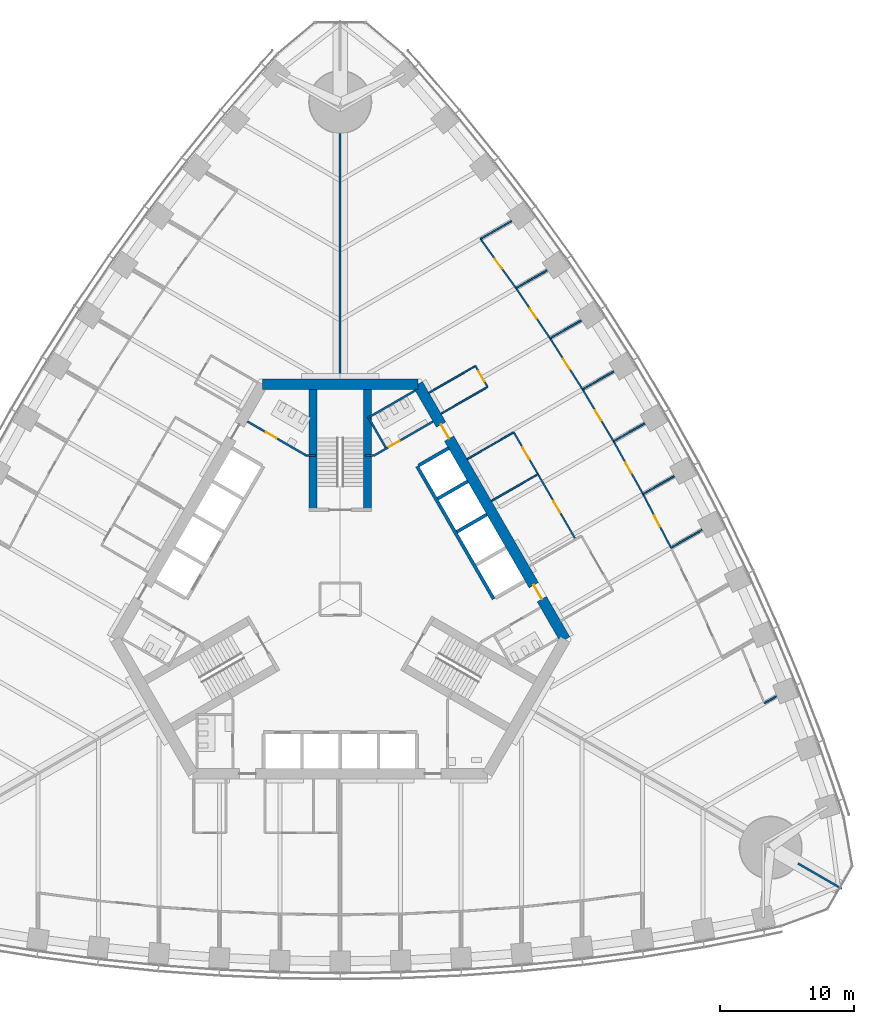
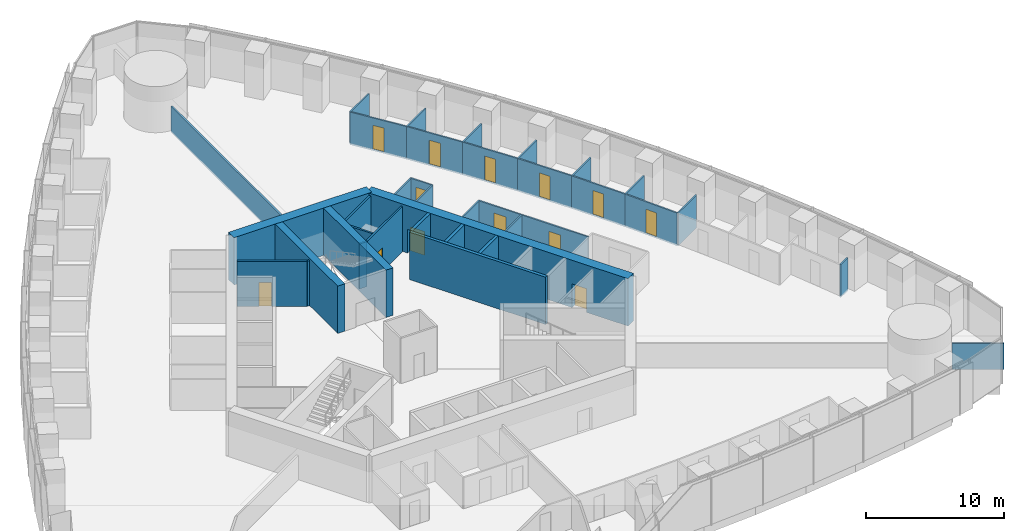
# One storey, part 13 of 19: 37 walls, 13 doors, 13 openings.
"""IFC4 building model written with IfcOpenShell, lengths in metres."""

import ifcopenshell
import ifcopenshell.guid

model = None  # the IFC model being written
_history = None  # IfcOwnerHistory: only IFC2X3 demands one
_inside = {}  # id of a spatial element -> (the spatial element, [elements in it])
_under = {}  # id of a project, library or spatial element -> (it, [spatial elements below it])
_declared = {}  # id of a project -> (the project, [libraries it declares])
_typed = {}  # id of a type object -> (the type object, [elements of that type])
_made_of = {}  # id of a material, layer set ... -> (it, [elements and type objects made of it])


def new_model(schema):
    """Start an empty IFC model of exactly this schema.

    Asked for "IFC4X3", IfcOpenShell would pick the latest addendum, in which some entities
    have other attributes; the version numbers below select the first issue.
    IFC2X3 requires an IfcOwnerHistory on every rooted entity: one is made here for all.
    """
    global model, _history
    if schema == "IFC4X3":
        model = ifcopenshell.file(schema_version=(4, 3, 0, 0))
    else:
        model = ifcopenshell.file(schema=schema)
    _inside.clear()
    _under.clear()
    _declared.clear()
    _typed.clear()
    _made_of.clear()
    _history = None
    if model.schema == "IFC2X3":
        org = make("IfcOrganization", Name="unknown")
        user = make(
            "IfcPersonAndOrganization",
            ThePerson=make("IfcPerson", FamilyName="unknown"),
            TheOrganization=org,
        )
        app = make(
            "IfcApplication",
            ApplicationDeveloper=org,
            Version="unknown",
            ApplicationFullName="unknown",
            ApplicationIdentifier="unknown",
        )
        _history = make(
            "IfcOwnerHistory",
            OwningUser=user,
            OwningApplication=app,
            ChangeAction="ADDED",
            CreationDate=0,
        )
    return model


def make(cls, **values):
    """One entity of the class cls with the attributes given. An attribute that is None is left unset."""
    return model.create_entity(
        cls, **{name: value for name, value in values.items() if value is not None}
    )


def rooted(cls, **values):
    """An entity with a GlobalId (a new one), such as an element, a storey or a relation."""
    return make(cls, GlobalId=ifcopenshell.guid.new(), OwnerHistory=_history, **values)


def si_unit(unit_type, name, prefix=None):
    """IfcSIUnit, for example si_unit("LENGTHUNIT", "METRE", prefix="MILLI")."""
    return make("IfcSIUnit", UnitType=unit_type, Prefix=prefix, Name=name)


def assignment(units):
    """IfcUnitAssignment: the units of a project."""
    return None if units is None else make("IfcUnitAssignment", Units=units)


def point(xyz):
    """IfcCartesianPoint."""
    return None if xyz is None else make("IfcCartesianPoint", Coordinates=xyz)


def direction(xyz):
    """IfcDirection."""
    return None if xyz is None else make("IfcDirection", DirectionRatios=xyz)


def frame(location, z_axis=None, x_axis=None):
    """IfcAxis2Placement3D, a coordinate frame: its origin and axes. An axis left out is left unset."""
    return make(
        "IfcAxis2Placement3D",
        Location=point(location),
        Axis=direction(z_axis),
        RefDirection=direction(x_axis),
    )


def frame_2d(location, x_axis=None):
    """IfcAxis2Placement2D, a coordinate frame in the plane: its origin and x axis."""
    return make(
        "IfcAxis2Placement2D", Location=point(location), RefDirection=direction(x_axis)
    )


def origin():
    """The frame at (0, 0, 0) with its axes left unset."""
    return frame((0.0, 0.0, 0.0))


def place(relative_to, where):
    """IfcLocalPlacement: puts the frame where relative to a parent placement (None: the world)."""
    return make(
        "IfcLocalPlacement", PlacementRelTo=relative_to, RelativePlacement=where
    )


def context(
    kind, dimensions, precision=None, world=None, true_north=None, identifier=None
):
    """IfcGeometricRepresentationContext, for example the 3D "Model" context."""
    return make(
        "IfcGeometricRepresentationContext",
        ContextIdentifier=identifier,
        ContextType=kind,
        CoordinateSpaceDimension=dimensions,
        Precision=precision,
        WorldCoordinateSystem=world,
        TrueNorth=true_north,
    )


def subcontext(parent, identifier, kind, view, scale=None):
    """IfcGeometricRepresentationSubContext, for example "Body" below "Model"."""
    return make(
        "IfcGeometricRepresentationSubContext",
        ContextIdentifier=identifier,
        ContextType=kind,
        ParentContext=parent,
        TargetScale=scale,
        TargetView=view,
    )


def project(units=None, contexts=None):
    """IfcProject with its units and contexts."""
    return rooted(
        "IfcProject",
        Name="project",
        RepresentationContexts=contexts,
        UnitsInContext=assignment(units),
    )


def spatial(cls, under=None, at=None, **own):
    """A site, building, storey or space (cls), placed at a placement, below another one or the project."""
    s = rooted(cls, ObjectPlacement=at, **own)
    if under is not None:
        _under.setdefault(under.id(), (under, []))[1].append(s)
    return s


def profile(cls, at=None, kind="AREA", **sizes):
    """A parametric profile (cls). Its sizes go by their IFC names, for example OverallWidth=200.0."""
    return make(cls, ProfileType=kind, Position=at, **sizes)


def rectangle(**sizes):
    """IfcRectangleProfileDef."""
    return profile("IfcRectangleProfileDef", **sizes)


def extrude(swept, where, along, depth):
    """IfcExtrudedAreaSolid: the profile swept, set in the frame where, extruded along a direction by depth."""
    return make(
        "IfcExtrudedAreaSolid",
        SweptArea=swept,
        Position=where,
        ExtrudedDirection=direction(along),
        Depth=depth,
    )


def shape(context_of_items, identifier, shape_type, items):
    """IfcShapeRepresentation: the items that make up one representation, for example the "Body"."""
    return make(
        "IfcShapeRepresentation",
        ContextOfItems=context_of_items,
        RepresentationIdentifier=identifier,
        RepresentationType=shape_type,
        Items=items,
    )


def material(Name=None, Category=None):
    """IfcMaterial."""
    return make("IfcMaterial", Name=Name, Category=Category)


def layer(
    of_material, thickness, ventilated=None, Name=None, Category=None, Priority=None
):
    """IfcMaterialLayer: one layer of a wall or slab, of a material (None: an air gap)."""
    return make(
        "IfcMaterialLayer",
        Material=of_material,
        LayerThickness=thickness,
        IsVentilated=ventilated,
        Name=Name,
        Category=Category,
        Priority=Priority,
    )


def layer_set(layers, Name=None):
    """IfcMaterialLayerSet."""
    return make("IfcMaterialLayerSet", MaterialLayers=layers, LayerSetName=Name)


def made_of(thing, what):
    """Note that an element or type object is made of a material, layer set ...; save() writes the relation."""
    if what is not None:
        _made_of.setdefault(what.id(), (what, []))[1].append(thing)
    return thing


def type_object(cls, material=None, **own):
    """A type object (cls), such as IfcWallType, which elements share."""
    return made_of(rooted(cls, **own), material)


def element(
    cls,
    number,
    at=None,
    inside=None,
    cuts=None,
    type_object=None,
    material=None,
    context=None,
    identifier="Body",
    shape_type=None,
    held_by="IfcProductDefinitionShape",
    body=None,
    shapes=None,
    **own,
):
    """One element of the class cls, such as IfcWall. Its Tag is "e" and its number.

    at: its placement. inside: the storey or other place that contains it. cuts: it is an
    opening in that element (IfcRelVoidsElement). A single representation is given by context,
    identifier, shape_type and body (its items); several are given by shapes. held_by: the class
    of the entity that holds the representations. save() writes the other relations.
    """
    e = rooted(cls, Tag="e%d" % number, ObjectPlacement=at, **own)
    if body is not None:
        shapes = [shape(context, identifier, shape_type, body)]
    if shapes is not None:
        e.Representation = make(held_by, Representations=shapes)
    if inside is not None:
        _inside.setdefault(inside.id(), (inside, []))[1].append(e)
    if cuts is not None:
        rooted(
            "IfcRelVoidsElement", RelatingBuildingElement=cuts, RelatedOpeningElement=e
        )
    if type_object is not None:
        _typed.setdefault(type_object.id(), (type_object, []))[1].append(e)
    return made_of(e, material)


def fill(opening, filler):
    """IfcRelFillsElement: the door or window that sits in an opening."""
    return rooted(
        "IfcRelFillsElement",
        RelatingOpeningElement=opening,
        RelatedBuildingElement=filler,
    )


def aggregate(whole, parts):
    """IfcRelAggregates: a whole, such as a stair, and the parts it consists of."""
    return rooted("IfcRelAggregates", RelatingObject=whole, RelatedObjects=parts)


def save(model, path):
    """Write the relations noted so far, then the file.

    IfcRelAggregates (storeys below a building ...), IfcRelContainedInSpatialStructure (elements
    in a storey), IfcRelDefinesByType, IfcRelAssociatesMaterial and IfcRelDeclares: one each for
    every whole, place, type object, material and project.
    """
    for whole, parts in _under.values():
        aggregate(whole, parts)
    for where, things in _inside.values():
        rooted(
            "IfcRelContainedInSpatialStructure",
            RelatedElements=things,
            RelatingStructure=where,
        )
    for kind, things in _typed.values():
        rooted("IfcRelDefinesByType", RelatedObjects=things, RelatingType=kind)
    for what, things in _made_of.values():
        rooted("IfcRelAssociatesMaterial", RelatedObjects=things, RelatingMaterial=what)
    for by, libraries in _declared.values():
        rooted("IfcRelDeclares", RelatingContext=by, RelatedDefinitions=libraries)
    model.write(path)


model = new_model("IFC4")

# Units and contexts
model_context = context("Model", 3, precision=1e-05, world=origin(), true_north=direction((0.0, 1.0)))
body_context = subcontext(model_context, "Body", "Model", "MODEL_VIEW")
ifc_project = project(units=[si_unit("LENGTHUNIT", "METRE"), si_unit("AREAUNIT", "SQUARE_METRE"), si_unit("VOLUMEUNIT", "CUBIC_METRE"), si_unit("PLANEANGLEUNIT", "RADIAN"), si_unit("MASSUNIT", "GRAM", prefix="KILO")], contexts=[model_context])

# Site, building, storey
site_placement = place(None, origin())
site = spatial("IfcSite", under=ifc_project, at=site_placement, CompositionType="ELEMENT")
building_placement = place(site_placement, origin())
building = spatial("IfcBuilding", under=site, at=building_placement, Name="Trefoil Bronze Tower", CompositionType="ELEMENT")
storey_placement = place(building_placement, frame((0.0, 0.0, 16.5)))
storey = spatial("IfcBuildingStorey", under=building, at=storey_placement, Name="L03", CompositionType="ELEMENT", Elevation=16.5)

# Wall, openings, doors
ifc_material_1 = material(Name="Concrete B80", Category="concrete")
ifc_layer_1 = layer(ifc_material_1, 0.800048828125)
ifc_layer_set_1 = layer_set([ifc_layer_1], Name="Core wall 800")
wall_type_1 = type_object("IfcWallType", Name="Core wall 800", PredefinedType="SHEAR", material=ifc_layer_set_1)
wall_1_placement = place(storey_placement, frame((16.7431640625, -3.0, 0.0), z_axis=(0.0, 0.0, 1.0), x_axis=(-0.500002442456, 0.866023993627, 0.0)))
wall_1 = element("IfcWall", 1, at=wall_1_placement, inside=storey, type_object=wall_type_1, Name="Core long wall 2 L03", PredefinedType="SHEAR", context=body_context, shape_type="SweptSolid", body=[
    extrude(rectangle(XDim=21.939453125, YDim=0.800048828125, at=frame_2d((10.9697265625, 0.0))), origin(), (0.0, 0.0, 1.0), 4.199951171875),
])
opening_1_placement = place(wall_1_placement, frame((17.269775390625, 0.0, 0.0)))
opening_1 = element("IfcOpeningElement", 2, at=opening_1_placement, cuts=wall_1, Name="Opening D2", PredefinedType="OPENING", context=body_context, shape_type="SweptSolid", body=[
    extrude(rectangle(XDim=1.199951171875, YDim=2.10009765625, at=frame_2d((0.60009765625, 1.050048828125))), frame((0.0, 0.409912109375, 0.0), z_axis=(0.0, -1.0, 0.0), x_axis=(1.0, 0.0, 0.0)), (0.0, 0.0, 1.0), 0.820068359375),
])
opening_2_placement = place(wall_1_placement, frame((3.4697265625, 0.0, 0.0)))
opening_2 = element("IfcOpeningElement", 3, at=opening_2_placement, cuts=wall_1, Name="Opening D2", PredefinedType="OPENING", context=body_context, shape_type="SweptSolid", body=[
    extrude(rectangle(XDim=1.199951171875, YDim=2.10009765625, at=frame_2d((0.60009765625, 1.050048828125))), frame((0.0, 0.409912109375, 0.0), z_axis=(0.0, -1.0, 0.0), x_axis=(1.0, 0.0, 0.0)), (0.0, 0.0, 1.0), 0.820068359375),
])
ifc_material_2 = material(Name="Steel door", Category="steel")
door_type_1 = type_object("IfcDoorType", Name="Lobby door 1200", OperationType="SINGLE_SWING_RIGHT", PredefinedType="DOOR", material=ifc_material_2)
door_1_placement = place(opening_1_placement, origin())
door_1 = element("IfcDoor", 4, at=door_1_placement, inside=storey, type_object=door_type_1, Name="Lobby door F2+ L03", OperationType="SINGLE_SWING_RIGHT", OverallHeight=2.10009765625, OverallWidth=1.199951171875, PredefinedType="DOOR", context=body_context, shape_type="SweptSolid", body=[
    extrude(rectangle(XDim=1.199951171875, YDim=2.10009765625, at=frame_2d((0.60009765625, 1.050048828125))), frame((0.0, 0.02490234375, 0.0), z_axis=(0.0, -1.0, 0.0), x_axis=(1.0, 0.0, 0.0)), (0.0, 0.0, 1.0), 0.050048828125),
])
fill(opening_1, door_1)
door_2_placement = place(opening_2_placement, origin())
door_2 = element("IfcDoor", 5, at=door_2_placement, inside=storey, type_object=door_type_1, Name="Lobby door F2- L03", OperationType="SINGLE_SWING_LEFT", OverallHeight=2.10009765625, OverallWidth=1.199951171875, PredefinedType="DOOR", context=body_context, shape_type="SweptSolid", body=[
    extrude(rectangle(XDim=1.199951171875, YDim=2.10009765625, at=frame_2d((0.60009765625, 1.050048828125))), frame((0.0, 0.02490234375, 0.0), z_axis=(0.0, -1.0, 0.0), x_axis=(1.0, 0.0, 0.0)), (0.0, 0.0, 1.0), 0.050048828125),
])
fill(opening_2, door_2)

# Wall
wall_2_placement = place(storey_placement, frame((5.7734375, 16.0, 0.0), z_axis=(0.0, 0.0, 1.0), x_axis=(-1.0, 0.0, 0.0)))
element("IfcWall", 6, at=wall_2_placement, inside=storey, type_object=wall_type_1, Name="Core short wall 2 L03", PredefinedType="SHEAR", context=body_context, shape_type="SweptSolid", body=[
    extrude(rectangle(XDim=11.546875, YDim=0.800048828125, at=frame_2d((5.7734375, 0.0))), origin(), (0.0, 0.0, 1.0), 4.199951171875),
])

# Wall, opening, door
ifc_material_3 = material(Name="Glazed partition", Category="glass")
ifc_layer_2 = layer(ifc_material_3, 0.1201171875)
ifc_layer_set_2 = layer_set([ifc_layer_2], Name="Glazed partition 120")
wall_type_2 = type_object("IfcWallType", Name="Glazed partition 120", PredefinedType="PARTITIONING", material=ifc_layer_set_2)
wall_3_placement = place(storey_placement, frame((14.71875, 9.30615234375, 0.0), z_axis=(0.0, 0.0, 1.0), x_axis=(-0.499961193289, 0.866047807691, 0.0)))
wall_3 = element("IfcWall", 7, at=wall_3_placement, inside=storey, type_object=wall_type_2, Name="Partition F2 L03", PredefinedType="PARTITIONING", context=body_context, shape_type="SweptSolid", body=[
    extrude(rectangle(XDim=3.599853515625, YDim=0.1201171875, at=frame_2d((1.7998046875, 0.0))), origin(), (0.0, 0.0, 1.0), 2.89990234375),
])
opening_3_placement = place(wall_3_placement, frame((1.300048828125, 0.0, 0.14990234375)))
opening_3 = element("IfcOpeningElement", 8, at=opening_3_placement, cuts=wall_3, Name="Opening D9", PredefinedType="OPENING", context=body_context, shape_type="SweptSolid", body=[
    extrude(rectangle(XDim=1.0, YDim=2.10009765625, at=frame_2d((0.5, 1.050048828125))), frame((0.0, 0.070068359375, 0.0), z_axis=(0.0, -1.0, 0.0), x_axis=(1.0, 0.0, 0.0)), (0.0, 0.0, 1.0), 0.14013671875),
])
ifc_material_4 = material(Name="Glazed timber door", Category="wood")
door_type_2 = type_object("IfcDoorType", Name="Meeting room door 1000", OperationType="SINGLE_SWING_LEFT", PredefinedType="DOOR", material=ifc_material_4)
door_3_placement = place(opening_3_placement, origin())
door_3 = element("IfcDoor", 9, at=door_3_placement, inside=storey, type_object=door_type_2, Name="Meeting room door F2 L03", OperationType="SINGLE_SWING_RIGHT", OverallHeight=2.10009765625, OverallWidth=1.0, PredefinedType="DOOR", context=body_context, shape_type="SweptSolid", body=[
    extrude(rectangle(XDim=1.0, YDim=2.10009765625, at=frame_2d((0.5, 1.050048828125))), frame((0.0, 0.02490234375, 0.0), z_axis=(0.0, -1.0, 0.0), x_axis=(1.0, 0.0, 0.0)), (0.0, 0.0, 1.0), 0.050048828125),
])
fill(opening_3, door_3)

wall_4_placement = place(storey_placement, frame((10.96875, 15.801513671875, 0.0), z_axis=(0.0, 0.0, 1.0), x_axis=(-0.499961193289, 0.866047807691, 0.0)))
wall_4 = element("IfcWall", 10, at=wall_4_placement, inside=storey, type_object=wall_type_2, Name="Partition F2 L03", PredefinedType="PARTITIONING", context=body_context, shape_type="SweptSolid", body=[
    extrude(rectangle(XDim=1.800048828125, YDim=0.1201171875, at=frame_2d((0.89990234375, 0.0))), origin(), (0.0, 0.0, 1.0), 2.89990234375),
])
opening_4_placement = place(wall_4_placement, frame((0.449951171875, 0.0, 0.14990234375)))
opening_4 = element("IfcOpeningElement", 11, at=opening_4_placement, cuts=wall_4, Name="Opening D8", PredefinedType="OPENING", context=body_context, shape_type="SweptSolid", body=[
    extrude(rectangle(XDim=0.89990234375, YDim=2.10009765625, at=frame_2d((0.449951171875, 1.050048828125))), frame((0.0, 0.070068359375, 0.0), z_axis=(0.0, -1.0, 0.0), x_axis=(1.0, 0.0, 0.0)), (0.0, 0.0, 1.0), 0.14013671875),
])
ifc_material_5 = material(Name="Timber door", Category="wood")
door_type_3 = type_object("IfcDoorType", Name="Office door 900", OperationType="SINGLE_SWING_LEFT", PredefinedType="DOOR", material=ifc_material_5)
door_4_placement = place(opening_4_placement, origin())
door_4 = element("IfcDoor", 12, at=door_4_placement, inside=storey, type_object=door_type_3, Name="Phone room door F2 L03", OperationType="SINGLE_SWING_LEFT", OverallHeight=2.10009765625, OverallWidth=0.89990234375, PredefinedType="DOOR", context=body_context, shape_type="SweptSolid", body=[
    extrude(rectangle(XDim=0.89990234375, YDim=2.10009765625, at=frame_2d((0.449951171875, 1.050048828125))), frame((0.0, 0.02490234375, 0.0), z_axis=(0.0, -1.0, 0.0), x_axis=(1.0, 0.0, 0.0)), (0.0, 0.0, 1.0), 0.050048828125),
])
fill(opening_4, door_4)

wall_5_placement = place(storey_placement, frame((17.518798828125, 4.45654296875, 0.0), z_axis=(0.0, 0.0, 1.0), x_axis=(-0.500016814911, 0.866015695474, 0.0)))
wall_5 = element("IfcWall", 13, at=wall_5_placement, inside=storey, type_object=wall_type_2, Name="Partition F2 L03", PredefinedType="PARTITIONING", context=body_context, shape_type="SweptSolid", body=[
    extrude(rectangle(XDim=5.599853515625, YDim=0.1201171875, at=frame_2d((2.7998046875, 0.0))), origin(), (0.0, 0.0, 1.0), 2.89990234375),
])
opening_5_placement = place(wall_5_placement, frame((2.300048828125, 0.0, 0.14990234375)))
opening_5 = element("IfcOpeningElement", 14, at=opening_5_placement, cuts=wall_5, Name="Opening D9", PredefinedType="OPENING", context=body_context, shape_type="SweptSolid", body=[
    extrude(rectangle(XDim=1.0, YDim=2.10009765625, at=frame_2d((0.5, 1.050048828125))), frame((0.0, 0.070068359375, 0.0), z_axis=(0.0, -1.0, 0.0), x_axis=(1.0, 0.0, 0.0)), (0.0, 0.0, 1.0), 0.14013671875),
])
door_5_placement = place(opening_5_placement, origin())
door_5 = element("IfcDoor", 15, at=door_5_placement, inside=storey, type_object=door_type_2, Name="Meeting room door F2 L03", OperationType="SINGLE_SWING_LEFT", OverallHeight=2.10009765625, OverallWidth=1.0, PredefinedType="DOOR", context=body_context, shape_type="SweptSolid", body=[
    extrude(rectangle(XDim=1.0, YDim=2.10009765625, at=frame_2d((0.5, 1.050048828125))), frame((0.0, 0.02490234375, 0.0), z_axis=(0.0, -1.0, 0.0), x_axis=(1.0, 0.0, 0.0)), (0.0, 0.0, 1.0), 0.050048828125),
])
fill(opening_5, door_5)

# Walls
for number, where, z_axis, x_axis, name in (
    (16, (11.254638671875, 7.30615234375, 0.0), (0.0, 0.0, 1.0), (0.866026010844, 0.49999894854, 0.0), "Partition F2 L03"),
    (17, (6.604736328125, 15.3603515625, 0.0), (0.0, 0.0, 1.0), (0.866026010844, 0.49999894854, 0.0), "Partition F2 L03"),
    (18, (9.454833984375, 10.423828125, 0.0), (0.0, 0.0, 1.0), (0.866026010844, 0.49999894854, 0.0), "Partition F2 L03"),
    (19, (7.504638671875, 13.801513671875, 0.0), (0.0, 0.0, 1.0), (0.866026010844, 0.49999894854, 0.0), "Partition F2 L03"),
):
    element("IfcWall", number, at=place(storey_placement, frame(where, z_axis=z_axis, x_axis=x_axis)), inside=storey, type_object=wall_type_2, Name=name, PredefinedType="PARTITIONING", context=body_context, shape_type="SweptSolid", body=[
        extrude(rectangle(XDim=4.0, YDim=0.1201171875, at=frame_2d((2.0, 0.0))), origin(), (0.0, 0.0, 1.0), 2.89990234375),
    ])

# Wall, opening, door
wall_6_placement = place(storey_placement, frame((20.3505859375, 11.749267578125, 0.0), z_axis=(0.0, 0.0, 1.0), x_axis=(-0.51252396108, 0.858672923364, 0.0)))
wall_6 = element("IfcWall", 20, at=wall_6_placement, inside=storey, type_object=wall_type_2, Name="Partition F2 L03", PredefinedType="PARTITIONING", context=body_context, shape_type="SweptSolid", body=[
    extrude(rectangle(XDim=4.50048828125, YDim=0.1201171875, at=frame_2d((2.250244140625, 0.0))), origin(), (0.0, 0.0, 1.0), 2.89990234375),
])
opening_6_placement = place(wall_6_placement, frame((1.800048828125, 0.0, 0.14990234375)))
opening_6 = element("IfcOpeningElement", 21, at=opening_6_placement, cuts=wall_6, Name="Opening D8", PredefinedType="OPENING", context=body_context, shape_type="SweptSolid", body=[
    extrude(rectangle(XDim=0.89990234375, YDim=2.10009765625, at=frame_2d((0.449951171875, 1.050048828125))), frame((0.0, 0.070068359375, 0.0), z_axis=(0.0, -1.0, 0.0), x_axis=(1.0, 0.0, 0.0)), (0.0, 0.0, 1.0), 0.14013671875),
])
door_6_placement = place(opening_6_placement, frame((0.89990234375, 0.0, 0.0), z_axis=(0.0, 0.0, 1.0), x_axis=(-1.0, 0.0, 0.0)))
door_6 = element("IfcDoor", 22, at=door_6_placement, inside=storey, type_object=door_type_3, Name="Office door F2 L03", OperationType="SINGLE_SWING_RIGHT", OverallHeight=2.10009765625, OverallWidth=0.89990234375, PredefinedType="DOOR", context=body_context, shape_type="SweptSolid", body=[
    extrude(rectangle(XDim=0.89990234375, YDim=2.10009765625, at=frame_2d((0.449951171875, 1.050048828125))), frame((0.0, 0.02490234375, 0.0), z_axis=(0.0, -1.0, 0.0), x_axis=(1.0, 0.0, 0.0)), (0.0, 0.0, 1.0), 0.050048828125),
])
fill(opening_6, door_6)

wall_7_placement = place(storey_placement, frame((13.090576171875, 23.146240234375, 0.0), z_axis=(0.0, 0.0, 1.0), x_axis=(-0.58534077607, 0.810787380187, 0.0)))
wall_7 = element("IfcWall", 23, at=wall_7_placement, inside=storey, type_object=wall_type_2, Name="Partition F2 L03", PredefinedType="PARTITIONING", context=body_context, shape_type="SweptSolid", body=[
    extrude(rectangle(XDim=4.5234375, YDim=0.1201171875, at=frame_2d((2.26171875, 0.0))), origin(), (0.0, 0.0, 1.0), 2.89990234375),
])
opening_7_placement = place(wall_7_placement, frame((1.800048828125, 0.0, 0.14990234375)))
opening_7 = element("IfcOpeningElement", 24, at=opening_7_placement, cuts=wall_7, Name="Opening D8", PredefinedType="OPENING", context=body_context, shape_type="SweptSolid", body=[
    extrude(rectangle(XDim=0.89990234375, YDim=2.10009765625, at=frame_2d((0.449951171875, 1.050048828125))), frame((0.0, 0.070068359375, 0.0), z_axis=(0.0, -1.0, 0.0), x_axis=(1.0, 0.0, 0.0)), (0.0, 0.0, 1.0), 0.14013671875),
])
door_7_placement = place(opening_7_placement, frame((0.89990234375, 0.0, 0.0), z_axis=(0.0, 0.0, 1.0), x_axis=(-1.0, 0.0, 0.0)))
door_7 = element("IfcDoor", 25, at=door_7_placement, inside=storey, type_object=door_type_3, Name="Office door F2 L03", OperationType="SINGLE_SWING_RIGHT", OverallHeight=2.10009765625, OverallWidth=0.89990234375, PredefinedType="DOOR", context=body_context, shape_type="SweptSolid", body=[
    extrude(rectangle(XDim=0.89990234375, YDim=2.10009765625, at=frame_2d((0.449951171875, 1.050048828125))), frame((0.0, 0.02490234375, 0.0), z_axis=(0.0, -1.0, 0.0), x_axis=(1.0, 0.0, 0.0)), (0.0, 0.0, 1.0), 0.050048828125),
])
fill(opening_7, door_7)

wall_8_placement = place(storey_placement, frame((18.0439453125, 15.61376953125, 0.0), z_axis=(0.0, 0.0, 1.0), x_axis=(-0.537243691336, 0.843427066272, 0.0)))
wall_8 = element("IfcWall", 26, at=wall_8_placement, inside=storey, type_object=wall_type_2, Name="Partition F2 L03", PredefinedType="PARTITIONING", context=body_context, shape_type="SweptSolid", body=[
    extrude(rectangle(XDim=4.50439453125, YDim=0.1201171875, at=frame_2d((2.252197265625, 0.0))), origin(), (0.0, 0.0, 1.0), 2.89990234375),
])
opening_8_placement = place(wall_8_placement, frame((1.800048828125, 0.0, 0.14990234375)))
opening_8 = element("IfcOpeningElement", 27, at=opening_8_placement, cuts=wall_8, Name="Opening D8", PredefinedType="OPENING", context=body_context, shape_type="SweptSolid", body=[
    extrude(rectangle(XDim=0.89990234375, YDim=2.10009765625, at=frame_2d((0.449951171875, 1.050048828125))), frame((0.0, 0.070068359375, 0.0), z_axis=(0.0, -1.0, 0.0), x_axis=(1.0, 0.0, 0.0)), (0.0, 0.0, 1.0), 0.14013671875),
])
door_8_placement = place(opening_8_placement, frame((0.89990234375, 0.0, 0.0), z_axis=(0.0, 0.0, 1.0), x_axis=(-1.0, 0.0, 0.0)))
door_8 = element("IfcDoor", 28, at=door_8_placement, inside=storey, type_object=door_type_3, Name="Office door F2 L03", OperationType="SINGLE_SWING_RIGHT", OverallHeight=2.10009765625, OverallWidth=0.89990234375, PredefinedType="DOOR", context=body_context, shape_type="SweptSolid", body=[
    extrude(rectangle(XDim=0.89990234375, YDim=2.10009765625, at=frame_2d((0.449951171875, 1.050048828125))), frame((0.0, 0.02490234375, 0.0), z_axis=(0.0, -1.0, 0.0), x_axis=(1.0, 0.0, 0.0)), (0.0, 0.0, 1.0), 0.050048828125),
])
fill(opening_8, door_8)

wall_9_placement = place(storey_placement, frame((15.6240234375, 19.412841796875, 0.0), z_axis=(0.0, 0.0, 1.0), x_axis=(-0.561512004239, 0.827468591002, 0.0)))
wall_9 = element("IfcWall", 29, at=wall_9_placement, inside=storey, type_object=wall_type_2, Name="Partition F2 L03", PredefinedType="PARTITIONING", context=body_context, shape_type="SweptSolid", body=[
    extrude(rectangle(XDim=4.51171875, YDim=0.1201171875, at=frame_2d((2.255859375, 0.0))), origin(), (0.0, 0.0, 1.0), 2.89990234375),
])
opening_9_placement = place(wall_9_placement, frame((1.800048828125, 0.0, 0.14990234375)))
opening_9 = element("IfcOpeningElement", 30, at=opening_9_placement, cuts=wall_9, Name="Opening D8", PredefinedType="OPENING", context=body_context, shape_type="SweptSolid", body=[
    extrude(rectangle(XDim=0.89990234375, YDim=2.10009765625, at=frame_2d((0.449951171875, 1.050048828125))), frame((0.0, 0.070068359375, 0.0), z_axis=(0.0, -1.0, 0.0), x_axis=(1.0, 0.0, 0.0)), (0.0, 0.0, 1.0), 0.14013671875),
])
door_9_placement = place(opening_9_placement, frame((0.89990234375, 0.0, 0.0), z_axis=(0.0, 0.0, 1.0), x_axis=(-1.0, 0.0, 0.0)))
door_9 = element("IfcDoor", 31, at=door_9_placement, inside=storey, type_object=door_type_3, Name="Office door F2 L03", OperationType="SINGLE_SWING_RIGHT", OverallHeight=2.10009765625, OverallWidth=0.89990234375, PredefinedType="DOOR", context=body_context, shape_type="SweptSolid", body=[
    extrude(rectangle(XDim=0.89990234375, YDim=2.10009765625, at=frame_2d((0.449951171875, 1.050048828125))), frame((0.0, 0.02490234375, 0.0), z_axis=(0.0, -1.0, 0.0), x_axis=(1.0, 0.0, 0.0)), (0.0, 0.0, 1.0), 0.050048828125),
])
fill(opening_9, door_9)

wall_10_placement = place(storey_placement, frame((22.5439453125, 7.819580078125, 0.0), z_axis=(0.0, 0.0, 1.0), x_axis=(-0.487373854787, 0.873193406795, 0.0)))
wall_10 = element("IfcWall", 32, at=wall_10_placement, inside=storey, type_object=wall_type_2, Name="Partition F2 L03", PredefinedType="PARTITIONING", context=body_context, shape_type="SweptSolid", body=[
    extrude(rectangle(XDim=4.500244140625, YDim=0.1201171875, at=frame_2d((2.25, 0.0))), origin(), (0.0, 0.0, 1.0), 2.89990234375),
])
opening_10_placement = place(wall_10_placement, frame((1.800048828125, 0.0, 0.14990234375)))
opening_10 = element("IfcOpeningElement", 33, at=opening_10_placement, cuts=wall_10, Name="Opening D8", PredefinedType="OPENING", context=body_context, shape_type="SweptSolid", body=[
    extrude(rectangle(XDim=0.89990234375, YDim=2.10009765625, at=frame_2d((0.449951171875, 1.050048828125))), frame((0.0, 0.070068359375, 0.0), z_axis=(0.0, -1.0, 0.0), x_axis=(1.0, 0.0, 0.0)), (0.0, 0.0, 1.0), 0.14013671875),
])
door_10_placement = place(opening_10_placement, frame((0.89990234375, 0.0, 0.0), z_axis=(0.0, 0.0, 1.0), x_axis=(-1.0, 0.0, 0.0)))
door_10 = element("IfcDoor", 34, at=door_10_placement, inside=storey, type_object=door_type_3, Name="Office door F2 L03", OperationType="SINGLE_SWING_RIGHT", OverallHeight=2.10009765625, OverallWidth=0.89990234375, PredefinedType="DOOR", context=body_context, shape_type="SweptSolid", body=[
    extrude(rectangle(XDim=0.89990234375, YDim=2.10009765625, at=frame_2d((0.449951171875, 1.050048828125))), frame((0.0, 0.02490234375, 0.0), z_axis=(0.0, -1.0, 0.0), x_axis=(1.0, 0.0, 0.0)), (0.0, 0.0, 1.0), 0.050048828125),
])
fill(opening_10, door_10)

wall_11_placement = place(storey_placement, frame((24.6240234375, 3.824462890625, 0.0), z_axis=(0.0, 0.0, 1.0), x_axis=(-0.461810056307, 0.886978845235, 0.0)))
wall_11 = element("IfcWall", 35, at=wall_11_placement, inside=storey, type_object=wall_type_2, Name="Partition F2 L03", PredefinedType="PARTITIONING", context=body_context, shape_type="SweptSolid", body=[
    extrude(rectangle(XDim=4.504150390625, YDim=0.1201171875, at=frame_2d((2.251953125, 0.0))), origin(), (0.0, 0.0, 1.0), 2.89990234375),
])
opening_11_placement = place(wall_11_placement, frame((1.800048828125, 0.0, 0.14990234375)))
opening_11 = element("IfcOpeningElement", 36, at=opening_11_placement, cuts=wall_11, Name="Opening D8", PredefinedType="OPENING", context=body_context, shape_type="SweptSolid", body=[
    extrude(rectangle(XDim=0.89990234375, YDim=2.10009765625, at=frame_2d((0.449951171875, 1.050048828125))), frame((0.0, 0.070068359375, 0.0), z_axis=(0.0, -1.0, 0.0), x_axis=(1.0, 0.0, 0.0)), (0.0, 0.0, 1.0), 0.14013671875),
])
door_11_placement = place(opening_11_placement, frame((0.89990234375, 0.0, 0.0), z_axis=(0.0, 0.0, 1.0), x_axis=(-1.0, 0.0, 0.0)))
door_11 = element("IfcDoor", 37, at=door_11_placement, inside=storey, type_object=door_type_3, Name="Office door F2 L03", OperationType="SINGLE_SWING_RIGHT", OverallHeight=2.10009765625, OverallWidth=0.89990234375, PredefinedType="DOOR", context=body_context, shape_type="SweptSolid", body=[
    extrude(rectangle(XDim=0.89990234375, YDim=2.10009765625, at=frame_2d((0.449951171875, 1.050048828125))), frame((0.0, 0.02490234375, 0.0), z_axis=(0.0, -1.0, 0.0), x_axis=(1.0, 0.0, 0.0)), (0.0, 0.0, 1.0), 0.050048828125),
])
fill(opening_11, door_11)

# Walls
wall_12_placement = place(storey_placement, frame((20.3505859375, 11.749267578125, 0.0), z_axis=(0.0, 0.0, 1.0), x_axis=(0.865989150234, 0.500062787734, 0.0)))
element("IfcWall", 38, at=wall_12_placement, inside=storey, type_object=wall_type_2, Name="Partition F2 L03", PredefinedType="PARTITIONING", context=body_context, shape_type="SweptSolid", body=[
    extrude(rectangle(XDim=2.670166015625, YDim=0.1201171875, at=frame_2d((1.3349609375, 0.0))), origin(), (0.0, 0.0, 1.0), 2.89990234375),
])
wall_13_placement = place(storey_placement, frame((13.090576171875, 23.146240234375, 0.0), z_axis=(0.0, 0.0, 1.0), x_axis=(0.866023818221, 0.500002746266, 0.0)))
element("IfcWall", 39, at=wall_13_placement, inside=storey, type_object=wall_type_2, Name="Partition F2 L03", PredefinedType="PARTITIONING", context=body_context, shape_type="SweptSolid", body=[
    extrude(rectangle(XDim=2.6640625, YDim=0.1201171875, at=frame_2d((1.33203125, 0.0))), origin(), (0.0, 0.0, 1.0), 2.89990234375),
])
wall_14_placement = place(storey_placement, frame((10.44287109375, 26.813720703125, 0.0), z_axis=(0.0, 0.0, 1.0), x_axis=(0.866031171652, 0.499990009627, 0.0)))
element("IfcWall", 40, at=wall_14_placement, inside=storey, type_object=wall_type_2, Name="Partition F2 L03", PredefinedType="PARTITIONING", context=body_context, shape_type="SweptSolid", body=[
    extrude(rectangle(XDim=2.6591796875, YDim=0.1201171875, at=frame_2d((1.32958984375, 0.0))), origin(), (0.0, 0.0, 1.0), 2.89990234375),
])
wall_15_placement = place(storey_placement, frame((18.0439453125, 15.61376953125, 0.0), z_axis=(0.0, 0.0, 1.0), x_axis=(0.866022619654, 0.500004822225, 0.0)))
element("IfcWall", 41, at=wall_15_placement, inside=storey, type_object=wall_type_2, Name="Partition F2 L03", PredefinedType="PARTITIONING", context=body_context, shape_type="SweptSolid", body=[
    extrude(rectangle(XDim=2.66943359375, YDim=0.1201171875, at=frame_2d((1.334716796875, 0.0))), origin(), (0.0, 0.0, 1.0), 2.89990234375),
])
wall_16_placement = place(storey_placement, frame((15.6240234375, 19.412841796875, 0.0), z_axis=(0.0, 0.0, 1.0), x_axis=(0.866020974757, 0.500007671222, 0.0)))
element("IfcWall", 42, at=wall_16_placement, inside=storey, type_object=wall_type_2, Name="Partition F2 L03", PredefinedType="PARTITIONING", context=body_context, shape_type="SweptSolid", body=[
    extrude(rectangle(XDim=2.66748046875, YDim=0.1201171875, at=frame_2d((1.333740234375, 0.0))), origin(), (0.0, 0.0, 1.0), 2.89990234375),
])
wall_17_placement = place(storey_placement, frame((31.578125, -7.7490234375, 0.0), z_axis=(0.0, 0.0, 1.0), x_axis=(0.866064200236, 0.499932796552, 0.0)))
element("IfcWall", 43, at=wall_17_placement, inside=storey, type_object=wall_type_2, Name="Partition F2 L03", PredefinedType="PARTITIONING", context=body_context, shape_type="SweptSolid", body=[
    extrude(rectangle(XDim=1.038330078125, YDim=0.1201171875, at=frame_2d((0.51904296875, 0.0))), origin(), (0.0, 0.0, 1.0), 2.89990234375),
])
wall_18_placement = place(storey_placement, frame((22.5439453125, 7.819580078125, 0.0), z_axis=(0.0, 0.0, 1.0), x_axis=(0.866022619654, 0.500004822225, 0.0)))
element("IfcWall", 44, at=wall_18_placement, inside=storey, type_object=wall_type_2, Name="Partition F2 L03", PredefinedType="PARTITIONING", context=body_context, shape_type="SweptSolid", body=[
    extrude(rectangle(XDim=2.66943359375, YDim=0.1201171875, at=frame_2d((1.334716796875, 0.0))), origin(), (0.0, 0.0, 1.0), 2.89990234375),
])
wall_19_placement = place(storey_placement, frame((24.6240234375, 3.824462890625, 0.0), z_axis=(0.0, 0.0, 1.0), x_axis=(0.866020974757, 0.500007671222, 0.0)))
element("IfcWall", 45, at=wall_19_placement, inside=storey, type_object=wall_type_2, Name="Partition F2 L03", PredefinedType="PARTITIONING", context=body_context, shape_type="SweptSolid", body=[
    extrude(rectangle(XDim=2.66748046875, YDim=0.1201171875, at=frame_2d((1.333740234375, 0.0))), origin(), (0.0, 0.0, 1.0), 2.89990234375),
])

# Wall, opening, door
ifc_material_6 = material(Name="Gypsum board on steel studs", Category="steel")
ifc_layer_3 = layer(ifc_material_6, 0.14990234375)
ifc_layer_set_3 = layer_set([ifc_layer_3], Name="Partition 150")
wall_type_3 = type_object("IfcWallType", Name="Partition 150", PredefinedType="PARTITIONING", material=ifc_layer_set_3)
wall_20_placement = place(storey_placement, frame((2.4951171875, 10.67822265625, 0.0), z_axis=(0.0, 0.0, 1.0), x_axis=(0.86602216432, 0.500005610874, 0.0)))
wall_20 = element("IfcWall", 46, at=wall_20_placement, inside=storey, type_object=wall_type_3, Name="Passage wall F2+ L03", PredefinedType="PARTITIONING", context=body_context, shape_type="SweptSolid", body=[
    extrude(rectangle(XDim=5.10009765625, YDim=0.14990234375, at=frame_2d((2.550048828125, 0.0))), origin(), (0.0, 0.0, 1.0), 4.0),
])
opening_12_placement = place(wall_20_placement, frame((1.300048828125, 0.0, 0.0)))
opening_12 = element("IfcOpeningElement", 47, at=opening_12_placement, cuts=wall_20, Name="Opening D3", PredefinedType="OPENING", context=body_context, shape_type="SweptSolid", body=[
    extrude(rectangle(XDim=0.89990234375, YDim=2.10009765625, at=frame_2d((0.449951171875, 1.050048828125))), frame((0.0, 0.0849609375, 0.0), z_axis=(0.0, -1.0, 0.0), x_axis=(1.0, 0.0, 0.0)), (0.0, 0.0, 1.0), 0.169921875),
])
ifc_material_7 = material(Name="Timber door", Category="wood")
door_type_4 = type_object("IfcDoorType", Name="WC door 900", OperationType="SINGLE_SWING_LEFT", PredefinedType="DOOR", material=ifc_material_7)
door_12_placement = place(opening_12_placement, origin())
door_12 = element("IfcDoor", 48, at=door_12_placement, inside=storey, type_object=door_type_4, Name="WC (men) door L03", OperationType="SINGLE_SWING_LEFT", OverallHeight=2.10009765625, OverallWidth=0.89990234375, PredefinedType="DOOR", context=body_context, shape_type="SweptSolid", body=[
    extrude(rectangle(XDim=0.89990234375, YDim=2.10009765625, at=frame_2d((0.449951171875, 1.050048828125))), frame((0.0, 0.02490234375, 0.0), z_axis=(0.0, -1.0, 0.0), x_axis=(1.0, 0.0, 0.0)), (0.0, 0.0, 1.0), 0.050048828125),
])
fill(opening_12, door_12)

wall_21_placement = place(storey_placement, frame((-2.4951171875, 10.67822265625, 0.0), z_axis=(0.0, 0.0, 1.0), x_axis=(-0.86602216432, 0.500005610874, 0.0)))
wall_21 = element("IfcWall", 49, at=wall_21_placement, inside=storey, type_object=wall_type_3, Name="Passage wall F3- L03", PredefinedType="PARTITIONING", context=body_context, shape_type="SweptSolid", body=[
    extrude(rectangle(XDim=5.10009765625, YDim=0.14990234375, at=frame_2d((2.550048828125, 0.0))), origin(), (0.0, 0.0, 1.0), 4.0),
])
opening_13_placement = place(wall_21_placement, frame((2.60009765625, 0.0, 0.0)))
opening_13 = element("IfcOpeningElement", 50, at=opening_13_placement, cuts=wall_21, Name="Opening D3", PredefinedType="OPENING", context=body_context, shape_type="SweptSolid", body=[
    extrude(rectangle(XDim=0.89990234375, YDim=2.10009765625, at=frame_2d((0.449951171875, 1.050048828125))), frame((0.0, 0.0849609375, 0.0), z_axis=(0.0, -1.0, 0.0), x_axis=(1.0, 0.0, 0.0)), (0.0, 0.0, 1.0), 0.169921875),
])
door_13_placement = place(opening_13_placement, frame((0.89990234375, 0.0, 0.0), z_axis=(0.0, 0.0, 1.0), x_axis=(-1.0, 0.0, 0.0)))
door_13 = element("IfcDoor", 51, at=door_13_placement, inside=storey, type_object=door_type_4, Name="WC (women) door L03", OperationType="SINGLE_SWING_LEFT", OverallHeight=2.10009765625, OverallWidth=0.89990234375, PredefinedType="DOOR", context=body_context, shape_type="SweptSolid", body=[
    extrude(rectangle(XDim=0.89990234375, YDim=2.10009765625, at=frame_2d((0.449951171875, 1.050048828125))), frame((0.0, 0.02490234375, 0.0), z_axis=(0.0, -1.0, 0.0), x_axis=(1.0, 0.0, 0.0)), (0.0, 0.0, 1.0), 0.050048828125),
])
fill(opening_13, door_13)

# Walls
for number, where, z_axis, x_axis, name in (
    (52, (2.4951171875, 10.67822265625, 0.0), (0.0, 0.0, 1.0), (-1.0, 0.0, 0.0), "WC wall ST2-1 L03"),
    (53, (-2.4951171875, 10.67822265625, 0.0), (0.0, 0.0, 1.0), (1.0, 0.0, 0.0), "WC wall ST2+1 L03"),
):
    element("IfcWall", number, at=place(storey_placement, frame(where, z_axis=z_axis, x_axis=x_axis)), inside=storey, type_object=wall_type_3, Name=name, PredefinedType="PARTITIONING", context=body_context, shape_type="SweptSolid", body=[
        extrude(rectangle(XDim=0.64501953125, YDim=0.14990234375, at=frame_2d((0.322509765625, 0.0))), origin(), (0.0, 0.0, 1.0), 4.0),
    ])
wall_22_placement = place(storey_placement, frame((2.03125, 13.48193359375, 0.0), z_axis=(0.0, 0.0, 1.0), x_axis=(0.866050731258, 0.499956128963, 0.0)))
element("IfcWall", 54, at=wall_22_placement, inside=storey, type_object=wall_type_3, Name="WC partition WC (men) L03", PredefinedType="PARTITIONING", context=body_context, shape_type="SweptSolid", body=[
    extrude(rectangle(XDim=4.099853515625, YDim=0.14990234375, at=frame_2d((2.0498046875, 0.0))), origin(), (0.0, 0.0, 1.0), 4.0),
])
wall_23_placement = place(storey_placement, frame((3.388671875, 11.28076171875, 0.0), z_axis=(0.0, 0.0, 1.0), x_axis=(-0.499989096993, 0.866031698547, 0.0)))
element("IfcWall", 55, at=wall_23_placement, inside=storey, type_object=wall_type_3, Name="WC partition WC (men) L03", PredefinedType="PARTITIONING", context=body_context, shape_type="SweptSolid", body=[
    extrude(rectangle(XDim=2.509765625, YDim=0.14990234375, at=frame_2d((1.2548828125, 0.0))), origin(), (0.0, 0.0, 1.0), 4.0),
])
ifc_material_8 = material(Name="Gypsum board on steel studs", Category="steel")
ifc_layer_4 = layer(ifc_material_8, 0.14990234375)
ifc_layer_set_4 = layer_set([ifc_layer_4], Name="Party wall 150")
wall_type_4 = type_object("IfcWallType", Name="Party wall 150", PredefinedType="PARTITIONING", material=ifc_layer_set_4)
wall_24_placement = place(storey_placement, frame((34.078125, -19.675048828125, 0.0), z_axis=(0.0, 0.0, 1.0), x_axis=(0.866019247219, -0.500010663332, 0.0)))
element("IfcWall", 56, at=wall_24_placement, inside=storey, type_object=wall_type_4, Name="Party wall K1 L03", PredefinedType="PARTITIONING", context=body_context, shape_type="SweptSolid", body=[
    extrude(rectangle(XDim=3.76416015625, YDim=0.14990234375, at=frame_2d((1.882080078125, 0.0))), origin(), (0.0, 0.0, 1.0), 2.300048828125),
])
wall_25_placement = place(storey_placement, frame((0.0, 16.39990234375, 0.0), z_axis=(0.0, 0.0, 1.0), x_axis=(0.0, 1.0, 0.0)))
element("IfcWall", 57, at=wall_25_placement, inside=storey, type_object=wall_type_4, Name="Party wall K2 L03", PredefinedType="PARTITIONING", context=body_context, shape_type="SweptSolid", body=[
    extrude(rectangle(XDim=18.25, YDim=0.14990234375, at=frame_2d((9.125, 0.0))), origin(), (0.0, 0.0, 1.0), 2.300048828125),
])
ifc_material_9 = material(Name="Concrete B80", Category="concrete")
ifc_layer_5 = layer(ifc_material_9, 0.25)
ifc_layer_set_5 = layer_set([ifc_layer_5], Name="Shaft wall 250")
wall_type_5 = type_object("IfcWallType", Name="Shaft wall 250", PredefinedType="SHEAR", material=ifc_layer_set_5)
wall_26_placement = place(storey_placement, frame((11.423583984375, 0.013671875, 0.0), z_axis=(0.0, 0.0, 1.0), x_axis=(-0.500001763848, 0.866024385424, 0.0)))
element("IfcWall", 58, at=wall_26_placement, inside=storey, type_object=wall_type_5, Name="Lift shaft front wall B L03", PredefinedType="SHEAR", context=body_context, shape_type="SweptSolid", body=[
    extrude(rectangle(XDim=11.39990234375, YDim=0.25, at=frame_2d((5.699951171875, 0.0))), origin(), (0.0, 0.0, 1.0), 4.199951171875),
])
for number, where, z_axis, x_axis, name in (
    (59, (8.681884765625, 5.012451171875, 0.0), (0.0, 0.0, 1.0), (0.866005588531, 0.500034319456, 0.0), "Lift shaft side wall B2 L03"),
    (60, (7.2568359375, 7.480712890625, 0.0), (0.0, 0.0, 1.0), (0.866046643894, 0.499963209246, 0.0), "Lift shaft side wall B3 L03"),
):
    element("IfcWall", number, at=place(storey_placement, frame(where, z_axis=z_axis, x_axis=x_axis)), inside=storey, type_object=wall_type_5, Name=name, PredefinedType="SHEAR", context=body_context, shape_type="SweptSolid", body=[
        extrude(rectangle(XDim=2.574951171875, YDim=0.25, at=frame_2d((1.28759765625, 0.0))), origin(), (0.0, 0.0, 1.0), 4.199951171875),
    ])
wall_27_placement = place(storey_placement, frame((5.831787109375, 9.94873046875, 0.0), z_axis=(0.0, 0.0, 1.0), x_axis=(0.866029291668, 0.499993265928, 0.0)))
element("IfcWall", 61, at=wall_27_placement, inside=storey, type_object=wall_type_5, Name="Lift shaft side wall B4 L03", PredefinedType="SHEAR", context=body_context, shape_type="SweptSolid", body=[
    extrude(rectangle(XDim=2.5751953125, YDim=0.25, at=frame_2d((1.28759765625, 0.0))), origin(), (0.0, 0.0, 1.0), 4.199951171875),
])
ifc_material_10 = material(Name="Concrete B80", Category="concrete")
ifc_layer_6 = layer(ifc_material_10, 0.60009765625)
ifc_layer_set_6 = layer_set([ifc_layer_6], Name="Stair wall 600")
wall_type_6 = type_object("IfcWallType", Name="Stair wall 600", PredefinedType="SHEAR", material=ifc_layer_set_6)
for number, where, z_axis, x_axis, name in (
    (62, (2.02490234375, 6.52490234375, 0.0), (0.0, 0.0, 1.0), (0.0, 1.0, 0.0), "Stair wall ST2 L03"),
    (63, (-2.02490234375, 6.52490234375, 0.0), (0.0, 0.0, 1.0), (0.0, 1.0, 0.0), "Stair wall ST2 L03"),
):
    element("IfcWall", number, at=place(storey_placement, frame(where, z_axis=z_axis, x_axis=x_axis)), inside=storey, type_object=wall_type_6, Name=name, PredefinedType="SHEAR", context=body_context, shape_type="SweptSolid", body=[
        extrude(rectangle(XDim=9.0751953125, YDim=0.60009765625, at=frame_2d((4.53759765625, 0.0))), origin(), (0.0, 0.0, 1.0), 4.199951171875),
    ])

save(model, "model.ifc")
